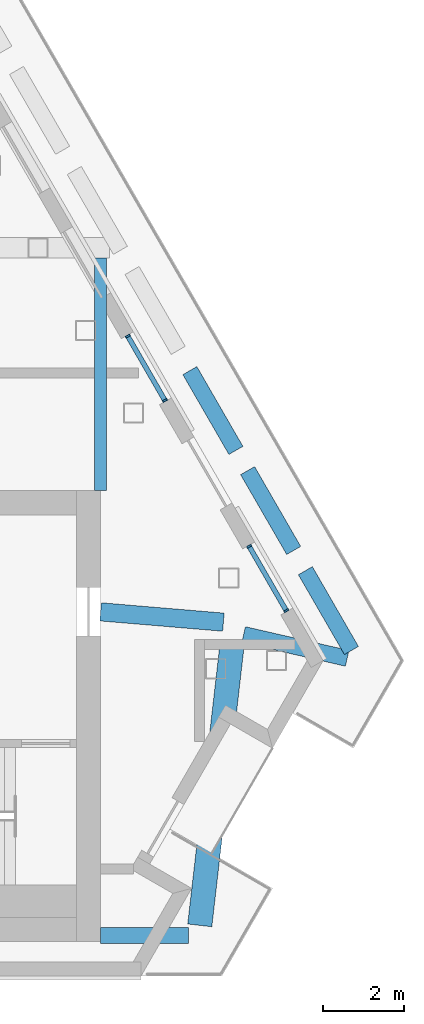
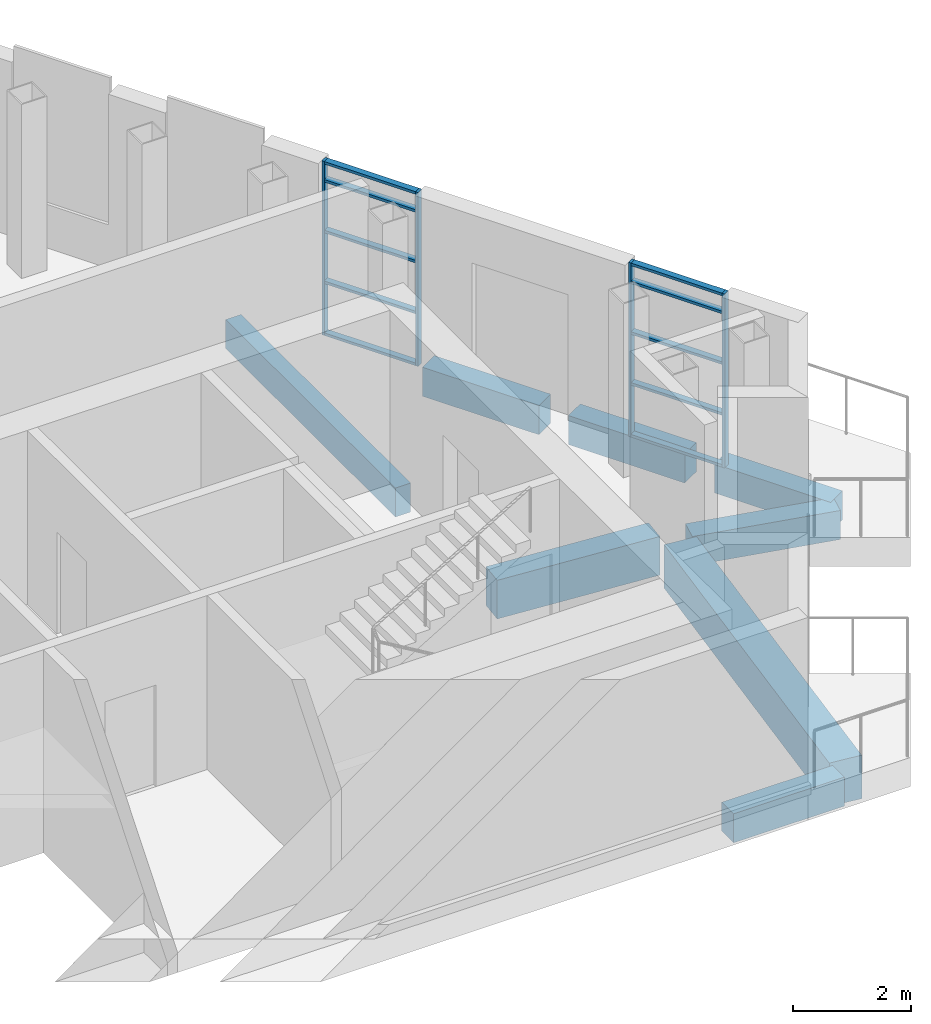
# One storey, part 3 of 7: 14 members, 8 beams, 2 elements without a shape of their own.
"""IFC4 building model written with IfcOpenShell, lengths in metres."""

from ifc_helpers import new_model, si_unit, direction, frame, origin, origin_2d, place, context, subcontext, project, spatial, rectangle, extrude, material, material_profile, profile_set, type_object, element, aggregate, save


model = new_model("IFC4")

# Units and contexts
model_context = context("Model", 3, precision=1e-05, world=origin(), true_north=direction((0.0, 1.0)))
body_context = subcontext(model_context, "Body", "Model", "MODEL_VIEW")
ifc_project = project(units=[si_unit("LENGTHUNIT", "METRE"), si_unit("AREAUNIT", "SQUARE_METRE"), si_unit("VOLUMEUNIT", "CUBIC_METRE"), si_unit("PLANEANGLEUNIT", "RADIAN"), si_unit("MASSUNIT", "GRAM", prefix="KILO")], contexts=[model_context])

# Site, building, storey
site_placement = place(None, origin())
site = spatial("IfcSite", under=ifc_project, at=site_placement, CompositionType="ELEMENT")
building_placement = place(site_placement, origin())
building = spatial("IfcBuilding", under=site, at=building_placement, Name="Fogline Exchange Tower", CompositionType="ELEMENT")
storey_placement = place(building_placement, frame((0.0, 0.0, 359.60009765625)))
storey = spatial("IfcBuildingStorey", under=building, at=storey_placement, Name="L81", CompositionType="ELEMENT", Elevation=359.60009765625)

# Beams
ifc_material_1 = material(Name="Concrete C40", Category="concrete")
ifc_material_profile_1 = material_profile(ifc_material_1, rectangle(XDim=0.300048828125, YDim=0.60009765625, at=origin_2d()), Name="RC 300x600")
ifc_profile_set_1 = profile_set([ifc_material_profile_1], Name="Concrete C40")
beam_type_1 = type_object("IfcBeamType", Name="B06", PredefinedType="BEAM", material=ifc_profile_set_1)
beam_1_placement = place(storey_placement, frame((9.0, 12.0, -0.900146484375), z_axis=(0.0, 1.0, 0.0), x_axis=(-1.0, 0.0, 0.0)))
element("IfcBeam", 1, at=beam_1_placement, inside=storey, type_object=beam_type_1, Name="SB004", PredefinedType="BEAM", context=body_context, shape_type="SweptSolid", body=[
    extrude(rectangle(XDim=0.300048828125, YDim=0.60009765625, at=origin_2d()), origin(), (0.0, 0.0, 1.0), 5.75),
])
ifc_material_profile_2 = material_profile(ifc_material_1, rectangle(XDim=0.60009765625, YDim=0.89990234375, at=origin_2d()), Name="RC 600x900")
ifc_profile_set_2 = profile_set([ifc_material_profile_2], Name="Concrete C40")
beam_type_2 = type_object("IfcBeamType", Name="B09", PredefinedType="BEAM", material=ifc_profile_set_2)
beam_2_placement = place(storey_placement, frame((11.451416015625, 1.25, -1.050048828125), z_axis=(0.114418804643, 0.993432603222, 0.0), x_axis=(-0.993432603222, 0.114418804643, 0.0)))
element("IfcBeam", 2, at=beam_2_placement, inside=storey, type_object=beam_type_2, Name="RB005", PredefinedType="BEAM", context=body_context, shape_type="SweptSolid", body=[
    extrude(rectangle(XDim=0.60009765625, YDim=0.89990234375, at=origin_2d()), origin(), (0.0, 0.0, 1.0), 7.041259765625),
])
ifc_material_profile_3 = material_profile(ifc_material_1, rectangle(XDim=0.39990234375, YDim=0.60009765625, at=origin_2d()), Name="RC 400x600")
ifc_profile_set_3 = profile_set([ifc_material_profile_3], Name="Concrete C40")
beam_type_3 = type_object("IfcBeamType", Name="B11", PredefinedType="BEAM", material=ifc_profile_set_3)
beam_3_placement = place(storey_placement, frame((9.0, 1.0, -0.900146484375), z_axis=(1.0, 0.0, 0.0), x_axis=(0.0, 1.0, 0.0)))
element("IfcBeam", 3, at=beam_3_placement, inside=storey, type_object=beam_type_3, Name="RB004", PredefinedType="BEAM", context=body_context, shape_type="SweptSolid", body=[
    extrude(rectangle(XDim=0.39990234375, YDim=0.60009765625, at=origin_2d()), origin(), (0.0, 0.0, 1.0), 2.172607421875),
])
beam_4_placement = place(storey_placement, frame((12.535888671875, 8.43798828125, -0.900146484375), z_axis=(0.974739488252, -0.223344867956, 0.0), x_axis=(0.223344867956, 0.974739488252, 0.0)))
element("IfcBeam", 4, at=beam_4_placement, inside=storey, type_object=beam_type_3, Name="RB006", PredefinedType="BEAM", context=body_context, shape_type="SweptSolid", body=[
    extrude(rectangle(XDim=0.39990234375, YDim=0.60009765625, at=origin_2d()), origin(), (0.0, 0.0, 1.0), 2.625732421875),
])
for number, where, z_axis, x_axis, name in (
    (5, (15.200927734375, 8.044189453125, -0.900146484375), (-0.499988356774, 0.8660321259, 0.0), (-0.8660321259, -0.499988356774, 0.0), "RB007"),
    (6, (13.773193359375, 10.517333984375, -0.900146484375), (-0.499988356774, 0.8660321259, 0.0), (-0.8660321259, -0.499988356774, 0.0), "RB008"),
):
    element("IfcBeam", number, at=place(storey_placement, frame(where, z_axis=z_axis, x_axis=x_axis)), inside=storey, type_object=beam_type_3, Name=name, PredefinedType="BEAM", context=body_context, shape_type="SweptSolid", body=[
        extrude(rectangle(XDim=0.39990234375, YDim=0.60009765625, at=origin_2d()), origin(), (0.0, 0.0, 1.0), 2.2783203125),
    ])
beam_5_placement = place(storey_placement, frame((12.34521484375, 12.990478515625, -0.900146484375), z_axis=(-0.500034759408, 0.866005334501, 0.0), x_axis=(-0.866005334501, -0.500034759408, 0.0)))
element("IfcBeam", 7, at=beam_5_placement, inside=storey, type_object=beam_type_3, Name="RB009", PredefinedType="BEAM", context=body_context, shape_type="SweptSolid", body=[
    extrude(rectangle(XDim=0.39990234375, YDim=0.60009765625, at=origin_2d()), origin(), (0.0, 0.0, 1.0), 2.278076171875),
])
ifc_material_profile_4 = material_profile(ifc_material_1, rectangle(XDim=0.449951171875, YDim=0.800048828125, at=origin_2d()), Name="RC 450x800")
ifc_profile_set_4 = profile_set([ifc_material_profile_4], Name="Concrete C40")
beam_type_4 = type_object("IfcBeamType", Name="B18", PredefinedType="BEAM", material=ifc_profile_set_4)
beam_6_placement = place(storey_placement, frame((9.0, 9.0, -1.0), z_axis=(0.996494169654, -0.08366223668, 0.0), x_axis=(0.08366223668, 0.996494169654, 0.0)))
element("IfcBeam", 8, at=beam_6_placement, inside=storey, type_object=beam_type_4, Name="GB002", PredefinedType="BEAM", context=body_context, shape_type="SweptSolid", body=[
    extrude(rectangle(XDim=0.449951171875, YDim=0.800048828125, at=origin_2d()), origin(), (0.0, 0.0, 1.0), 3.046630859375),
])

# Curtain wall, members
ifc_material_2 = material(Name="Aluminium and glass", Category="aluminium")
curtain_wall_type = type_object("IfcCurtainWallType", Name="CW6", PredefinedType="NOTDEFINED", material=ifc_material_2)
curtain_wall_1_placement = place(storey_placement, origin())
curtain_wall_1 = element("IfcCurtainWall", 9, at=curtain_wall_1_placement, inside=storey, type_object=curtain_wall_type, Name="CW6 L81 E run 1", PredefinedType="NOTDEFINED")
ifc_material_3 = material(Name="Aluminium", Category="aluminium")
ifc_material_profile_5 = material_profile(ifc_material_3, rectangle(XDim=0.1201171875, YDim=0.050048828125, at=origin_2d()), Name="Mullion 50x120")
ifc_profile_set_5 = profile_set([ifc_material_profile_5], Name="Aluminium")
member_type_1 = type_object("IfcMemberType", Name="CW6-M", PredefinedType="MULLION", material=ifc_profile_set_5)
member_1_placement = place(storey_placement, frame((13.59033203125, 9.030029296875, 0.0), z_axis=(0.0, 0.0, 1.0), x_axis=(-0.866024357877, -0.500001811561, 0.0)))
member_1 = element("IfcMember", 10, at=member_1_placement, type_object=member_type_1, Name="CW6-L81-01 mullion 1", PredefinedType="MULLION", context=body_context, shape_type="SweptSolid", body=[
    extrude(rectangle(XDim=0.1201171875, YDim=0.050048828125, at=origin_2d()), origin(), (0.0, 0.0, 1.0), 3.599853515625),
])
member_2_placement = place(storey_placement, frame((12.6728515625, 10.619140625, 0.0), z_axis=(0.0, 0.0, 1.0), x_axis=(-0.866024357877, -0.500001811561, 0.0)))
member_2 = element("IfcMember", 11, at=member_2_placement, type_object=member_type_1, Name="CW6-L81-01 mullion 2", PredefinedType="MULLION", context=body_context, shape_type="SweptSolid", body=[
    extrude(rectangle(XDim=0.1201171875, YDim=0.050048828125, at=origin_2d()), origin(), (0.0, 0.0, 1.0), 3.599853515625),
])

curtain_wall_2_placement = place(storey_placement, origin())
curtain_wall_2 = element("IfcCurtainWall", 12, at=curtain_wall_2_placement, inside=storey, type_object=curtain_wall_type, Name="CW6 L81 E run 2", PredefinedType="NOTDEFINED")
member_3_placement = place(storey_placement, frame((10.59033203125, 14.22607421875, 0.0), z_axis=(0.0, 0.0, 1.0), x_axis=(-0.866025684137, -0.499999514416, 0.0)))
member_3 = element("IfcMember", 13, at=member_3_placement, type_object=member_type_1, Name="CW6-L81-02 mullion 1", PredefinedType="MULLION", context=body_context, shape_type="SweptSolid", body=[
    extrude(rectangle(XDim=0.1201171875, YDim=0.050048828125, at=origin_2d()), origin(), (0.0, 0.0, 1.0), 3.599853515625),
])
member_4_placement = place(storey_placement, frame((9.6728515625, 15.815185546875, 0.0), z_axis=(0.0, 0.0, 1.0), x_axis=(-0.866025684137, -0.499999514416, 0.0)))
member_4 = element("IfcMember", 14, at=member_4_placement, type_object=member_type_1, Name="CW6-L81-02 mullion 2", PredefinedType="MULLION", context=body_context, shape_type="SweptSolid", body=[
    extrude(rectangle(XDim=0.1201171875, YDim=0.050048828125, at=origin_2d()), origin(), (0.0, 0.0, 1.0), 3.599853515625),
])

# Member
ifc_material_profile_6 = material_profile(ifc_material_3, rectangle(XDim=0.1201171875, YDim=0.054931640625, at=origin_2d()), Name="Transom 55x120")
ifc_profile_set_6 = profile_set([ifc_material_profile_6], Name="Aluminium")
member_type_2 = type_object("IfcMemberType", Name="CW6-T", PredefinedType="USERDEFINED", material=ifc_profile_set_6)
member_5_placement = place(storey_placement, frame((13.577880859375, 9.051513671875, 0.02734375), z_axis=(-0.500022371132, 0.86601248742, 0.0), x_axis=(-0.86601248742, -0.500022371132, 0.0)))
member_5 = element("IfcMember", 15, at=member_5_placement, type_object=member_type_2, Name="CW6-L81-01 transom 1.1", ObjectType="TRANSOM", PredefinedType="USERDEFINED", context=body_context, shape_type="SweptSolid", body=[
    extrude(rectangle(XDim=0.1201171875, YDim=0.054931640625, at=origin_2d()), origin(), (0.0, 0.0, 1.0), 1.78515625),
])

member_6_placement = place(storey_placement, frame((13.577880859375, 9.051513671875, 1.099853515625), z_axis=(-0.500022371132, 0.86601248742, 0.0), x_axis=(-0.86601248742, -0.500022371132, 0.0)))
member_6 = element("IfcMember", 16, at=member_6_placement, type_object=member_type_2, Name="CW6-L81-01 transom 1.2", ObjectType="TRANSOM", PredefinedType="USERDEFINED", context=body_context, shape_type="SweptSolid", body=[
    extrude(rectangle(XDim=0.1201171875, YDim=0.054931640625, at=origin_2d()), origin(), (0.0, 0.0, 1.0), 1.78515625),
])

member_7_placement = place(storey_placement, frame((13.577880859375, 9.051513671875, 2.14990234375), z_axis=(-0.500022371132, 0.86601248742, 0.0), x_axis=(-0.86601248742, -0.500022371132, 0.0)))
member_7 = element("IfcMember", 17, at=member_7_placement, type_object=member_type_2, Name="CW6-L81-01 transom 1.3", ObjectType="TRANSOM", PredefinedType="USERDEFINED", context=body_context, shape_type="SweptSolid", body=[
    extrude(rectangle(XDim=0.1201171875, YDim=0.054931640625, at=origin_2d()), origin(), (0.0, 0.0, 1.0), 1.78515625),
])

member_8_placement = place(storey_placement, frame((13.577880859375, 9.051513671875, 3.199951171875), z_axis=(-0.500022371132, 0.86601248742, 0.0), x_axis=(-0.86601248742, -0.500022371132, 0.0)))
member_8 = element("IfcMember", 18, at=member_8_placement, type_object=member_type_2, Name="CW6-L81-01 transom 1.4", ObjectType="TRANSOM", PredefinedType="USERDEFINED", context=body_context, shape_type="SweptSolid", body=[
    extrude(rectangle(XDim=0.1201171875, YDim=0.054931640625, at=origin_2d()), origin(), (0.0, 0.0, 1.0), 1.78515625),
])

member_9_placement = place(storey_placement, frame((13.577880859375, 9.051513671875, 3.572509765625), z_axis=(-0.500022371132, 0.86601248742, 0.0), x_axis=(-0.86601248742, -0.500022371132, 0.0)))
member_9 = element("IfcMember", 19, at=member_9_placement, type_object=member_type_2, Name="CW6-L81-01 transom 1.5", ObjectType="TRANSOM", PredefinedType="USERDEFINED", context=body_context, shape_type="SweptSolid", body=[
    extrude(rectangle(XDim=0.1201171875, YDim=0.054931640625, at=origin_2d()), origin(), (0.0, 0.0, 1.0), 1.78515625),
])

aggregate(curtain_wall_1, [member_1, member_2, member_5, member_6, member_7, member_8, member_9])

member_10_placement = place(storey_placement, frame((10.577880859375, 14.247802734375, 0.02734375), z_axis=(-0.500081600855, 0.865978286383, 0.0), x_axis=(-0.865978286383, -0.500081600855, 0.0)))
member_10 = element("IfcMember", 20, at=member_10_placement, type_object=member_type_2, Name="CW6-L81-02 transom 1.1", ObjectType="TRANSOM", PredefinedType="USERDEFINED", context=body_context, shape_type="SweptSolid", body=[
    extrude(rectangle(XDim=0.1201171875, YDim=0.054931640625, at=origin_2d()), origin(), (0.0, 0.0, 1.0), 1.784912109375),
])

member_11_placement = place(storey_placement, frame((10.577880859375, 14.247802734375, 1.099853515625), z_axis=(-0.500081600855, 0.865978286383, 0.0), x_axis=(-0.865978286383, -0.500081600855, 0.0)))
member_11 = element("IfcMember", 21, at=member_11_placement, type_object=member_type_2, Name="CW6-L81-02 transom 1.2", ObjectType="TRANSOM", PredefinedType="USERDEFINED", context=body_context, shape_type="SweptSolid", body=[
    extrude(rectangle(XDim=0.1201171875, YDim=0.054931640625, at=origin_2d()), origin(), (0.0, 0.0, 1.0), 1.784912109375),
])

member_12_placement = place(storey_placement, frame((10.577880859375, 14.247802734375, 2.14990234375), z_axis=(-0.500081600855, 0.865978286383, 0.0), x_axis=(-0.865978286383, -0.500081600855, 0.0)))
member_12 = element("IfcMember", 22, at=member_12_placement, type_object=member_type_2, Name="CW6-L81-02 transom 1.3", ObjectType="TRANSOM", PredefinedType="USERDEFINED", context=body_context, shape_type="SweptSolid", body=[
    extrude(rectangle(XDim=0.1201171875, YDim=0.054931640625, at=origin_2d()), origin(), (0.0, 0.0, 1.0), 1.784912109375),
])

member_13_placement = place(storey_placement, frame((10.577880859375, 14.247802734375, 3.199951171875), z_axis=(-0.500081600855, 0.865978286383, 0.0), x_axis=(-0.865978286383, -0.500081600855, 0.0)))
member_13 = element("IfcMember", 23, at=member_13_placement, type_object=member_type_2, Name="CW6-L81-02 transom 1.4", ObjectType="TRANSOM", PredefinedType="USERDEFINED", context=body_context, shape_type="SweptSolid", body=[
    extrude(rectangle(XDim=0.1201171875, YDim=0.054931640625, at=origin_2d()), origin(), (0.0, 0.0, 1.0), 1.784912109375),
])

member_14_placement = place(storey_placement, frame((10.577880859375, 14.247802734375, 3.572509765625), z_axis=(-0.500081600855, 0.865978286383, 0.0), x_axis=(-0.865978286383, -0.500081600855, 0.0)))
member_14 = element("IfcMember", 24, at=member_14_placement, type_object=member_type_2, Name="CW6-L81-02 transom 1.5", ObjectType="TRANSOM", PredefinedType="USERDEFINED", context=body_context, shape_type="SweptSolid", body=[
    extrude(rectangle(XDim=0.1201171875, YDim=0.054931640625, at=origin_2d()), origin(), (0.0, 0.0, 1.0), 1.784912109375),
])

aggregate(curtain_wall_2, [member_3, member_4, member_10, member_11, member_12, member_13, member_14])

save(model, "model.ifc")
